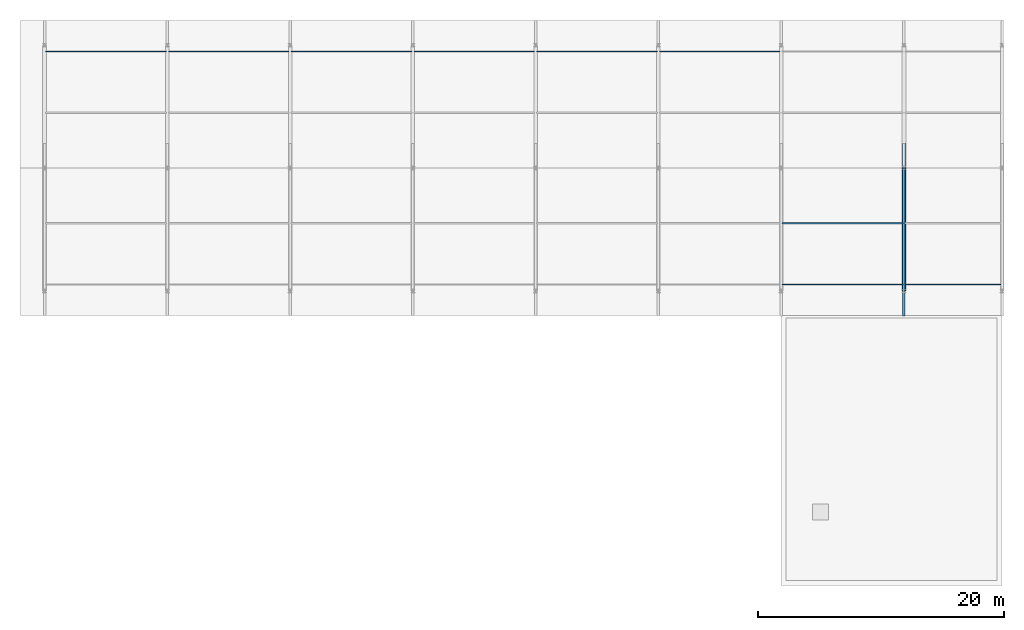
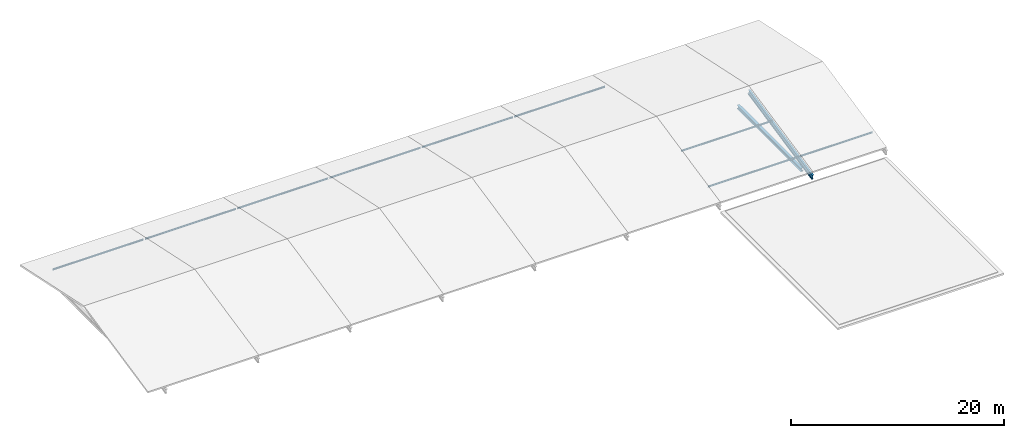
# One storey, part 3 of 10: 9 members, 2 beams.
"""IFC4 building model written with IfcOpenShell, lengths in metres."""

from ifc_helpers import new_model, si_unit, direction, frame, origin, origin_2d, place, context, subcontext, project, spatial, i_section, extrude, material, material_profile, profile_set, type_object, element, save


model = new_model("IFC4")

# Units and contexts
model_context = context("Model", 3, precision=1e-05, world=origin(), true_north=direction((0.0, 1.0)))
body_context = subcontext(model_context, "Body", "Model", "MODEL_VIEW")
ifc_project = project(units=[si_unit("LENGTHUNIT", "METRE"), si_unit("AREAUNIT", "SQUARE_METRE"), si_unit("VOLUMEUNIT", "CUBIC_METRE"), si_unit("PLANEANGLEUNIT", "RADIAN"), si_unit("MASSUNIT", "GRAM", prefix="KILO")], contexts=[model_context])

# Site, building, storey
site_placement = place(None, origin())
site = spatial("IfcSite", under=ifc_project, at=site_placement, CompositionType="ELEMENT")
building_placement = place(site_placement, origin())
building = spatial("IfcBuilding", under=site, at=building_placement, Name="Kivolera Central Railway Station", CompositionType="ELEMENT")
storey_placement = place(building_placement, frame((0.0, 0.0, 31.199951171875)))
storey = spatial("IfcBuildingStorey", under=building, at=storey_placement, Name="Roof", CompositionType="ELEMENT", Elevation=31.199951171875)

# Beams
ifc_material = material(Name="Steel S355", Category="steel")
ifc_material_profile_1 = material_profile(ifc_material, i_section(OverallWidth=0.2099609375, OverallDepth=0.550048828125, WebThickness=0.010986328125, FlangeThickness=0.01708984375, FilletRadius=0.02392578125, at=origin_2d()), Name="IPE 550")
ifc_profile_set_1 = profile_set([ifc_material_profile_1], Name="Steel S355")
beam_type_1 = type_object("IfcBeamType", Name="BM-ROOF-WNG", PredefinedType="BEAM", material=ifc_profile_set_1)
beam_1_placement = place(storey_placement, frame((188.0, 112.0, 0.43798828125), z_axis=(0.0, 0.97814185396, 0.207938725424), x_axis=(-1.0, 0.0, 0.0)))
element("IfcBeam", 1, at=beam_1_placement, inside=storey, type_object=beam_type_1, Name="Wing Monsoon Roof South Rafter 8", PredefinedType="BEAM", context=body_context, shape_type="SweptSolid", body=[
    extrude(i_section(OverallWidth=0.2099609375, OverallDepth=0.550048828125, WebThickness=0.010986328125, FlangeThickness=0.01708984375, FilletRadius=0.02392578125, at=origin_2d()), origin(), (0.0, 0.0, 1.0), 12.26806640625),
])
ifc_material_profile_2 = material_profile(ifc_material, i_section(OverallWidth=0.300048828125, OverallDepth=0.389892578125, WebThickness=0.010986328125, FlangeThickness=0.01904296875, FilletRadius=0.027099609375, at=origin_2d()), Name="HEA 400")
ifc_profile_set_2 = profile_set([ifc_material_profile_2], Name="Steel S355")
beam_type_2 = type_object("IfcBeamType", Name="BM-SHD-HEA400", PredefinedType="BEAM", material=ifc_profile_set_2)
beam_2_placement = place(storey_placement, frame((188.0, 114.0, 0.090087890625), z_axis=(0.0, 1.0, 0.0), x_axis=(-1.0, 0.0, 0.0)))
element("IfcBeam", 2, at=beam_2_placement, inside=storey, type_object=beam_type_2, Name="Wing Monsoon Roof Tie Beam South 8", PredefinedType="BEAM", context=body_context, shape_type="SweptSolid", body=[
    extrude(i_section(OverallWidth=0.300048828125, OverallDepth=0.389892578125, WebThickness=0.010986328125, FlangeThickness=0.01904296875, FilletRadius=0.027099609375, at=origin_2d()), origin(), (0.0, 0.0, 1.0), 12.0),
])

# Members
ifc_material_profile_3 = material_profile(ifc_material, i_section(OverallWidth=0.091064453125, OverallDepth=0.179931640625, WebThickness=0.00537109375, FlangeThickness=0.008056640625, FilletRadius=0.009033203125, at=origin_2d()), Name="IPE 180")
ifc_profile_set_3 = profile_set([ifc_material_profile_3], Name="Steel S355")
member_type = type_object("IfcMemberType", Name="MEM-PUR-IPE180", PredefinedType="PURLIN", material=ifc_profile_set_3)
for number, where, z_axis, x_axis, name in (
    (3, (118.080078125, 133.5, 1.325927734375), (1.0, 0.0, 0.0), (0.0, 1.0, 0.0), "Wing Monsoon Roof Purlin 1.4"),
    (4, (128.080078125, 133.5, 1.325927734375), (1.0, 0.0, 0.0), (0.0, 1.0, 0.0), "Wing Monsoon Roof Purlin 2.4"),
    (5, (138.080078125, 133.5, 1.325927734375), (1.0, 0.0, 0.0), (0.0, 1.0, 0.0), "Wing Monsoon Roof Purlin 3.4"),
    (6, (148.080078125, 133.5, 1.325927734375), (1.0, 0.0, 0.0), (0.0, 1.0, 0.0), "Wing Monsoon Roof Purlin 4.4"),
    (7, (158.080078125, 133.5, 1.325927734375), (1.0, 0.0, 0.0), (0.0, 1.0, 0.0), "Wing Monsoon Roof Purlin 5.4"),
    (8, (168.080078125, 133.5, 1.325927734375), (1.0, 0.0, 0.0), (0.0, 1.0, 0.0), "Wing Monsoon Roof Purlin 6.4"),
    (9, (178.080078125, 114.5, 1.325927734375), (1.0, 0.0, 0.0), (0.0, 1.0, 0.0), "Wing Monsoon Roof Purlin 7.1"),
    (10, (178.080078125, 119.5, 2.38916015625), (1.0, 0.0, 0.0), (0.0, 1.0, 0.0), "Wing Monsoon Roof Purlin 7.2"),
):
    element("IfcMember", number, at=place(storey_placement, frame(where, z_axis=z_axis, x_axis=x_axis)), inside=storey, type_object=member_type, Name=name, PredefinedType="PURLIN", context=body_context, shape_type="SweptSolid", body=[
        extrude(i_section(OverallWidth=0.091064453125, OverallDepth=0.179931640625, WebThickness=0.00537109375, FlangeThickness=0.008056640625, FilletRadius=0.009033203125, at=origin_2d()), origin(), (0.0, 0.0, 1.0), 9.83984375),
    ])
member_placement = place(storey_placement, frame((188.080078125, 114.5, 1.325927734375), z_axis=(1.0, 0.0, 0.0), x_axis=(0.0, 1.0, 0.0)))
element("IfcMember", 11, at=member_placement, inside=storey, type_object=member_type, Name="Wing Monsoon Roof Purlin 8.1", PredefinedType="PURLIN", context=body_context, shape_type="SweptSolid", body=[
    extrude(i_section(OverallWidth=0.091064453125, OverallDepth=0.179931640625, WebThickness=0.00537109375, FlangeThickness=0.008056640625, FilletRadius=0.009033203125, at=origin_2d()), origin(), (0.0, 0.0, 1.0), 7.83984375),
])

save(model, "model.ifc")
